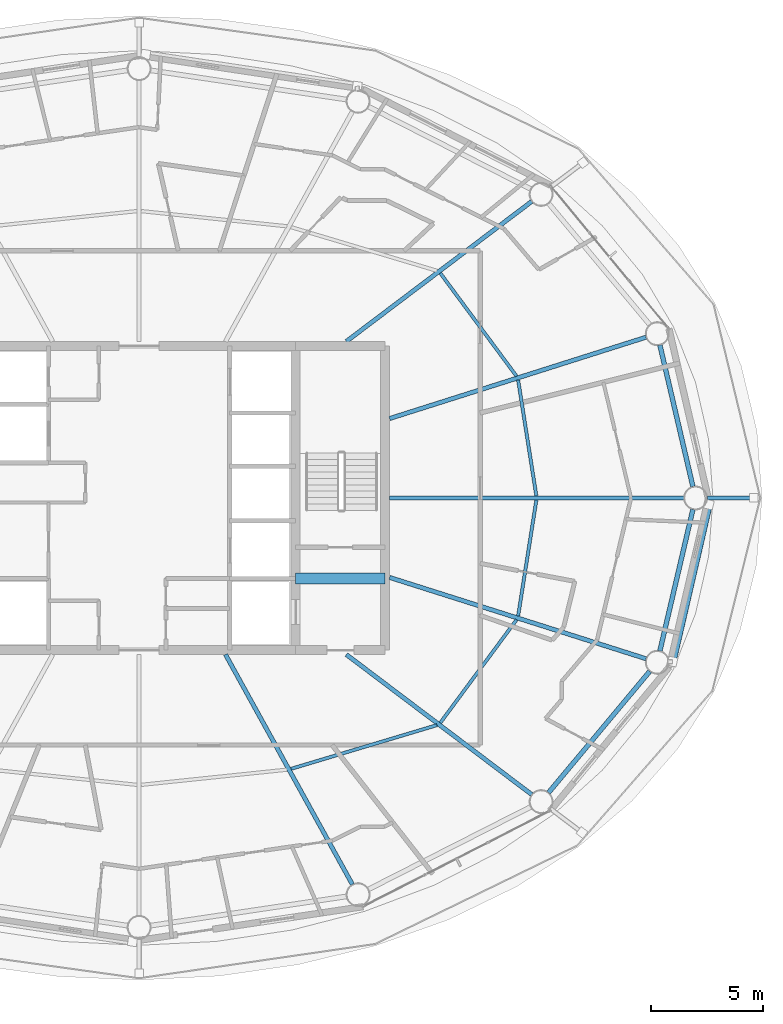
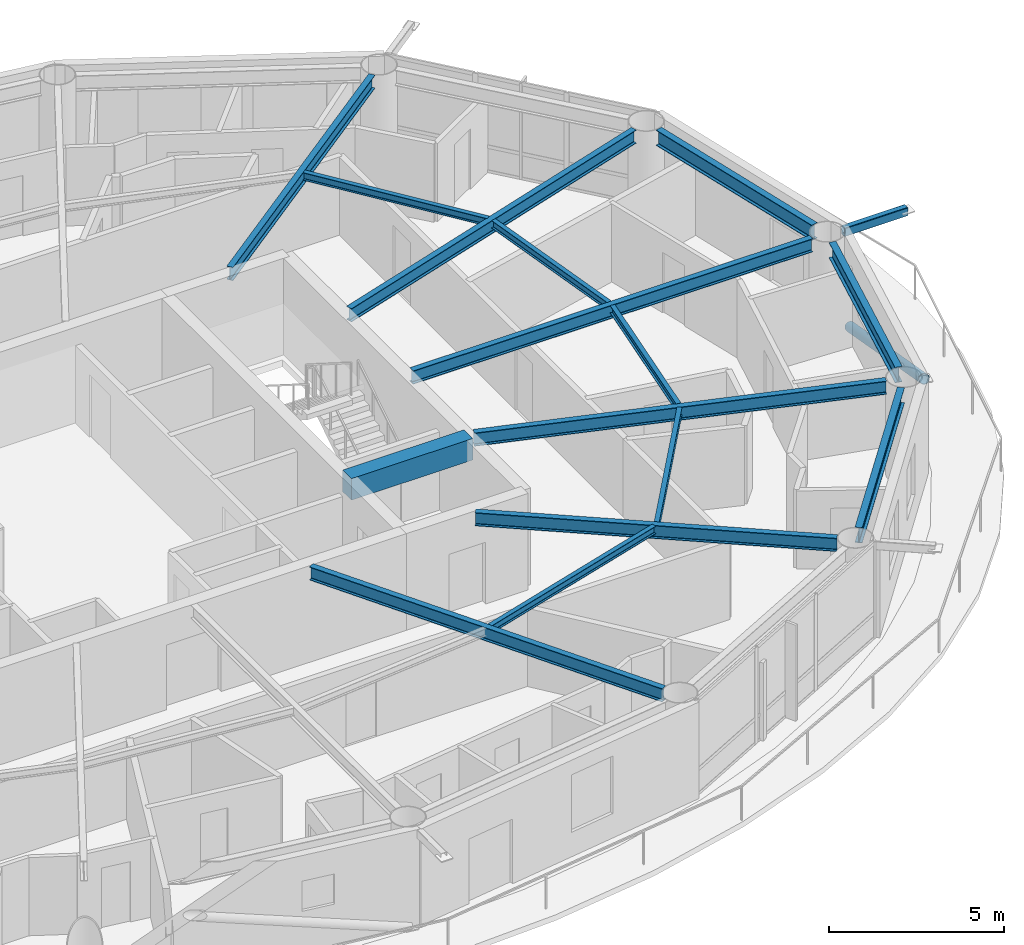
# One storey, part 6 of 23: 15 beams, 2 members.
"""IFC4 building model written with IfcOpenShell, lengths in metres."""

from ifc_helpers import new_model, si_unit, direction, frame, origin, origin_2d, place, context, subcontext, project, spatial, rectangle, hollow_rectangle, hollow_circle, i_section, extrude, material, material_profile, profile_set, type_object, element, save


model = new_model("IFC4")

# Units and contexts
model_context = context("Model", 3, precision=1e-05, world=origin(), true_north=direction((0.0, 1.0)))
body_context = subcontext(model_context, "Body", "Model", "MODEL_VIEW")
ifc_project = project(units=[si_unit("LENGTHUNIT", "METRE"), si_unit("AREAUNIT", "SQUARE_METRE"), si_unit("VOLUMEUNIT", "CUBIC_METRE"), si_unit("PLANEANGLEUNIT", "RADIAN"), si_unit("MASSUNIT", "GRAM", prefix="KILO")], contexts=[model_context])

# Site, building, storey
site_placement = place(None, origin())
site = spatial("IfcSite", under=ifc_project, at=site_placement, CompositionType="ELEMENT")
building_placement = place(site_placement, origin())
building = spatial("IfcBuilding", under=site, at=building_placement, Name="Sarneth Arch Tower", CompositionType="ELEMENT")
storey_placement = place(building_placement, frame((0.0, 0.0, 238.800048828125)))
storey = spatial("IfcBuildingStorey", under=building, at=storey_placement, Name="L61", CompositionType="ELEMENT", Elevation=238.800048828125)

# Beams
ifc_material_1 = material(Name="Steel S355", Category="steel")
ifc_material_profile_1 = material_profile(ifc_material_1, i_section(OverallWidth=0.14794921875, OverallDepth=0.26611328125, WebThickness=0.007568359375, FlangeThickness=0.012939453125, FilletRadius=0.012939453125, at=origin_2d()), Name="W250x44.8")
ifc_profile_set_1 = profile_set([ifc_material_profile_1], Name="Steel S355")
beam_type_1 = type_object("IfcBeamType", Name="BM-JOIST-250", PredefinedType="JOIST", material=ifc_profile_set_1)
beam_1_placement = place(storey_placement, frame((65.76416015625, 42.0947265625, 3.22705078125), z_axis=(-0.155393595615, 0.987852635995, 0.0), x_axis=(-0.987852635995, -0.155393595615, 0.0)))
element("IfcBeam", 1, at=beam_1_placement, inside=storey, type_object=beam_type_1, Name="L61 Secondary floor joist 01", PredefinedType="JOIST", context=body_context, shape_type="SweptSolid", body=[
    extrude(i_section(OverallWidth=0.14794921875, OverallDepth=0.26611328125, WebThickness=0.007568359375, FlangeThickness=0.012939453125, FilletRadius=0.012939453125, at=origin_2d()), origin(), (0.0, 0.0, 1.0), 5.244384765625),
])
beam_2_placement = place(storey_placement, frame((64.877197265625, 47.447509765625, 3.22705078125), z_axis=(-0.594853468946, 0.803834156081, 0.0), x_axis=(-0.803834156081, -0.594853468946, 0.0)))
element("IfcBeam", 2, at=beam_2_placement, inside=storey, type_object=beam_type_1, Name="L61 Secondary floor joist 02", PredefinedType="JOIST", context=body_context, shape_type="SweptSolid", body=[
    extrude(i_section(OverallWidth=0.14794921875, OverallDepth=0.26611328125, WebThickness=0.007568359375, FlangeThickness=0.012939453125, FilletRadius=0.012939453125, at=origin_2d()), origin(), (0.0, 0.0, 1.0), 5.72900390625),
])
beam_3_placement = place(storey_placement, frame((54.79248046875, 29.88818359375, 3.22705078125), z_axis=(0.957984908347, 0.286818610589, 0.0), x_axis=(-0.286818610589, 0.957984908347, 0.0)))
element("IfcBeam", 3, at=beam_3_placement, inside=storey, type_object=beam_type_1, Name="L61 Secondary floor joist 14", PredefinedType="JOIST", context=body_context, shape_type="SweptSolid", body=[
    extrude(i_section(OverallWidth=0.14794921875, OverallDepth=0.26611328125, WebThickness=0.007568359375, FlangeThickness=0.012939453125, FilletRadius=0.012939453125, at=origin_2d()), origin(), (0.0, 0.0, 1.0), 6.81396484375),
])
beam_4_placement = place(storey_placement, frame((61.46923828125, 31.947265625, 3.22705078125), z_axis=(0.594853468946, 0.803834156081, 0.0), x_axis=(-0.803834156081, 0.594853468946, 0.0)))
element("IfcBeam", 4, at=beam_4_placement, inside=storey, type_object=beam_type_1, Name="L61 Secondary floor joist 15", PredefinedType="JOIST", context=body_context, shape_type="SweptSolid", body=[
    extrude(i_section(OverallWidth=0.14794921875, OverallDepth=0.26611328125, WebThickness=0.007568359375, FlangeThickness=0.012939453125, FilletRadius=0.012939453125, at=origin_2d()), origin(), (0.0, 0.0, 1.0), 5.72900390625),
])
beam_5_placement = place(storey_placement, frame((64.94921875, 36.724609375, 3.22705078125), z_axis=(0.155393595615, 0.987852635995, 0.0), x_axis=(-0.987852635995, 0.155393595615, 0.0)))
element("IfcBeam", 5, at=beam_5_placement, inside=storey, type_object=beam_type_1, Name="L61 Secondary floor joist 16", PredefinedType="JOIST", context=body_context, shape_type="SweptSolid", body=[
    extrude(i_section(OverallWidth=0.14794921875, OverallDepth=0.26611328125, WebThickness=0.007568359375, FlangeThickness=0.012939453125, FilletRadius=0.012939453125, at=origin_2d()), origin(), (0.0, 0.0, 1.0), 5.244384765625),
])
ifc_material_2 = material(Name="Concrete C50/60", Category="concrete")
ifc_material_profile_2 = material_profile(ifc_material_2, rectangle(XDim=0.5, YDim=0.75, at=origin_2d()), Name="RC-500x750")
ifc_profile_set_2 = profile_set([ifc_material_profile_2], Name="Concrete C50/60")
beam_type_2 = type_object("IfcBeamType", Name="BM-LINTEL-RC", PredefinedType="LINTEL", material=ifc_profile_set_2)
beam_6_placement = place(storey_placement, frame((55.0, 38.39990234375, 2.98486328125), z_axis=(1.0, 0.0, 0.0), x_axis=(0.0, 1.0, 0.0)))
element("IfcBeam", 6, at=beam_6_placement, inside=storey, type_object=beam_type_2, Name="L61 Core coupling lintel E", PredefinedType="LINTEL", context=body_context, shape_type="SweptSolid", body=[
    extrude(rectangle(XDim=0.5, YDim=0.75, at=origin_2d()), origin(), (0.0, 0.0, 1.0), 4.0),
])
ifc_material_3 = material(Name="Steel S355", Category="steel")
ifc_material_profile_3 = material_profile(ifc_material_3, i_section(OverallWidth=0.19189453125, OverallDepth=0.462890625, WebThickness=0.010498046875, FlangeThickness=0.017578125, FilletRadius=0.01806640625, at=origin_2d()), Name="W460x89")
ifc_profile_set_3 = profile_set([ifc_material_profile_3], Name="Steel S355")
beam_type_3 = type_object("IfcBeamType", Name="BM-RAD-460B", PredefinedType="BEAM", material=ifc_profile_set_3)
beam_7_placement = place(storey_placement, frame((59.199951171875, 42.0, 3.12841796875), z_axis=(1.0, 0.0, 0.0), x_axis=(0.0, 1.0, 0.0)))
element("IfcBeam", 7, at=beam_7_placement, inside=storey, type_object=beam_type_3, Name="L61 Radial floor girder 01", PredefinedType="BEAM", context=body_context, shape_type="SweptSolid", body=[
    extrude(i_section(OverallWidth=0.19189453125, OverallDepth=0.462890625, WebThickness=0.010498046875, FlangeThickness=0.017578125, FilletRadius=0.01806640625, at=origin_2d()), origin(), (0.0, 0.0, 1.0), 13.158203125),
])
beam_8_placement = place(storey_placement, frame((59.199951171875, 45.5517578125, 3.12841796875), z_axis=(0.953216092177, 0.302289731243, 0.0), x_axis=(-0.302289731243, 0.953216092177, 0.0)))
element("IfcBeam", 8, at=beam_8_placement, inside=storey, type_object=beam_type_3, Name="L61 Radial floor girder 02", PredefinedType="BEAM", context=body_context, shape_type="SweptSolid", body=[
    extrude(i_section(OverallWidth=0.19189453125, OverallDepth=0.462890625, WebThickness=0.010498046875, FlangeThickness=0.017578125, FilletRadius=0.01806640625, at=origin_2d()), origin(), (0.0, 0.0, 1.0), 12.031494140625),
])
beam_9_placement = place(storey_placement, frame((57.26806640625, 49.0, 3.12841796875), z_axis=(0.79797308069, 0.60269309146, 0.0), x_axis=(-0.60269309146, 0.79797308069, 0.0)))
element("IfcBeam", 9, at=beam_9_placement, inside=storey, type_object=beam_type_3, Name="L61 Radial floor girder 03", PredefinedType="BEAM", context=body_context, shape_type="SweptSolid", body=[
    extrude(i_section(OverallWidth=0.19189453125, OverallDepth=0.462890625, WebThickness=0.010498046875, FlangeThickness=0.017578125, FilletRadius=0.01806640625, at=origin_2d()), origin(), (0.0, 0.0, 1.0), 10.38671875),
])
beam_10_placement = place(storey_placement, frame((51.86376953125, 35.0, 3.12841796875), z_axis=(0.483225760768, -0.875495781903, 0.0), x_axis=(0.875495781903, 0.483225760768, 0.0)))
element("IfcBeam", 10, at=beam_10_placement, inside=storey, type_object=beam_type_3, Name="L61 Radial floor girder 14", PredefinedType="BEAM", context=body_context, shape_type="SweptSolid", body=[
    extrude(i_section(OverallWidth=0.19189453125, OverallDepth=0.462890625, WebThickness=0.010498046875, FlangeThickness=0.017578125, FilletRadius=0.01806640625, at=origin_2d()), origin(), (0.0, 0.0, 1.0), 11.740478515625),
])
beam_11_placement = place(storey_placement, frame((57.26806640625, 35.0, 3.12841796875), z_axis=(0.79797308069, -0.60269309146, 0.0), x_axis=(0.60269309146, 0.79797308069, 0.0)))
element("IfcBeam", 11, at=beam_11_placement, inside=storey, type_object=beam_type_3, Name="L61 Radial floor girder 15", PredefinedType="BEAM", context=body_context, shape_type="SweptSolid", body=[
    extrude(i_section(OverallWidth=0.19189453125, OverallDepth=0.462890625, WebThickness=0.010498046875, FlangeThickness=0.017578125, FilletRadius=0.01806640625, at=origin_2d()), origin(), (0.0, 0.0, 1.0), 10.38671875),
])
beam_12_placement = place(storey_placement, frame((59.199951171875, 38.4482421875, 3.12841796875), z_axis=(0.953216092177, -0.302289731243, 0.0), x_axis=(0.302289731243, 0.953216092177, 0.0)))
element("IfcBeam", 12, at=beam_12_placement, inside=storey, type_object=beam_type_3, Name="L61 Radial floor girder 16", PredefinedType="BEAM", context=body_context, shape_type="SweptSolid", body=[
    extrude(i_section(OverallWidth=0.19189453125, OverallDepth=0.462890625, WebThickness=0.010498046875, FlangeThickness=0.017578125, FilletRadius=0.01806640625, at=origin_2d()), origin(), (0.0, 0.0, 1.0), 12.031494140625),
])
ifc_material_4 = material(Name="Steel S355", Category="steel")
ifc_material_profile_4 = material_profile(ifc_material_4, i_section(OverallWidth=0.2109375, OverallDepth=0.5390625, WebThickness=0.01171875, FlangeThickness=0.018798828125, FilletRadius=0.01806640625, at=origin_2d()), Name="W530x109")
ifc_profile_set_4 = profile_set([ifc_material_profile_4], Name="Steel S355")
beam_type_4 = type_object("IfcBeamType", Name="BM-RAD-530B", PredefinedType="BEAM", material=ifc_profile_set_4)
beam_13_placement = place(storey_placement, frame((72.763916015625, 42.51123046875, 3.09033203125), z_axis=(-0.227230803906, 0.973840932471, 0.0), x_axis=(-0.973840932471, -0.227230803906, 0.0)))
element("IfcBeam", 13, at=beam_13_placement, inside=storey, type_object=beam_type_4, Name="L61 Perimeter spandrel beam 01", PredefinedType="BEAM", context=body_context, shape_type="SweptSolid", body=[
    extrude(i_section(OverallWidth=0.2109375, OverallDepth=0.5390625, WebThickness=0.01171875, FlangeThickness=0.018798828125, FilletRadius=0.01806640625, at=origin_2d()), origin(), (0.0, 0.0, 1.0), 6.494873046875),
])
beam_14_placement = place(storey_placement, frame((66.3115234375, 28.82666015625, 3.09033203125), z_axis=(0.640364654985, 0.76807103099, 0.0), x_axis=(-0.76807103099, 0.640364654985, 0.0)))
element("IfcBeam", 14, at=beam_14_placement, inside=storey, type_object=beam_type_4, Name="L61 Perimeter spandrel beam 15", PredefinedType="BEAM", context=body_context, shape_type="SweptSolid", body=[
    extrude(i_section(OverallWidth=0.2109375, OverallDepth=0.5390625, WebThickness=0.01171875, FlangeThickness=0.018798828125, FilletRadius=0.01806640625, at=origin_2d()), origin(), (0.0, 0.0, 1.0), 7.06005859375),
])
beam_15_placement = place(storey_placement, frame((71.2880859375, 35.163818359375, 3.09033203125), z_axis=(0.227230803906, 0.973840932471, 0.0), x_axis=(-0.973840932471, 0.227230803906, 0.0)))
element("IfcBeam", 15, at=beam_15_placement, inside=storey, type_object=beam_type_4, Name="L61 Perimeter spandrel beam 16", PredefinedType="BEAM", context=body_context, shape_type="SweptSolid", body=[
    extrude(i_section(OverallWidth=0.2109375, OverallDepth=0.5390625, WebThickness=0.01171875, FlangeThickness=0.018798828125, FilletRadius=0.01806640625, at=origin_2d()), origin(), (0.0, 0.0, 1.0), 6.494873046875),
])

# Members
ifc_material_5 = material(Name="Steel S355", Category="steel")
ifc_material_profile_5 = material_profile(ifc_material_5, hollow_rectangle(XDim=0.199951171875, YDim=0.300048828125, WallThickness=0.012451171875, InnerFilletRadius=0.018798828125, OuterFilletRadius=0.03125, at=origin_2d()), Name="RHS300x200x12.5")
ifc_profile_set_5 = profile_set([ifc_material_profile_5], Name="Steel S355")
member_type_1 = type_object("IfcMemberType", Name="MEM-CANT-STRUT", PredefinedType="STRUT", material=ifc_profile_set_5)
member_1_placement = place(storey_placement, frame((73.408203125, 42.0, 3.199951171875), z_axis=(1.0, 0.0, 0.0), x_axis=(0.0, 1.0, 0.0)))
element("IfcMember", 16, at=member_1_placement, inside=storey, type_object=member_type_1, Name="L61 Balcony cantilever bracket 01", PredefinedType="STRUT", context=body_context, shape_type="SweptSolid", body=[
    extrude(hollow_rectangle(XDim=0.199951171875, YDim=0.300048828125, WallThickness=0.012451171875, InnerFilletRadius=0.018798828125, OuterFilletRadius=0.03125, at=origin_2d()), origin(), (0.0, 0.0, 1.0), 2.073486328125),
])
ifc_material_6 = material(Name="Steel S355", Category="steel")
ifc_material_profile_6 = material_profile(ifc_material_6, hollow_circle(Radius=0.162109375, WallThickness=0.012451171875, at=origin_2d()), Name="CHS324x12.5")
ifc_profile_set_6 = profile_set([ifc_material_profile_6], Name="Steel S355")
member_type_2 = type_object("IfcMemberType", Name="MEM-DIAG-BR3", PredefinedType="BRACE", material=ifc_profile_set_6)
member_2_placement = place(storey_placement, frame((73.4765625, 41.707763671875, 0.02001953125), z_axis=(-0.207917989892, -0.898749333617, 0.386030756289), x_axis=(0.974268900284, -0.225388797281, 0.0)))
element("IfcMember", 17, at=member_2_placement, inside=storey, type_object=member_type_2, Name="L61 Perimeter frame diagonal 16", PredefinedType="BRACE", context=body_context, shape_type="SweptSolid", body=[
    extrude(hollow_circle(Radius=0.162109375, WallThickness=0.012451171875, at=origin_2d()), origin(), (0.0, 0.0, 1.0), 7.814453125),
])

save(model, "model.ifc")
